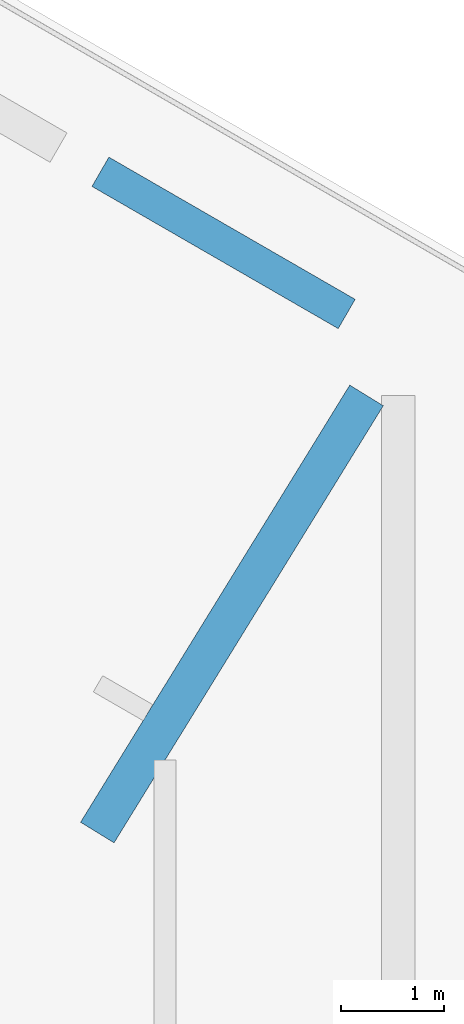
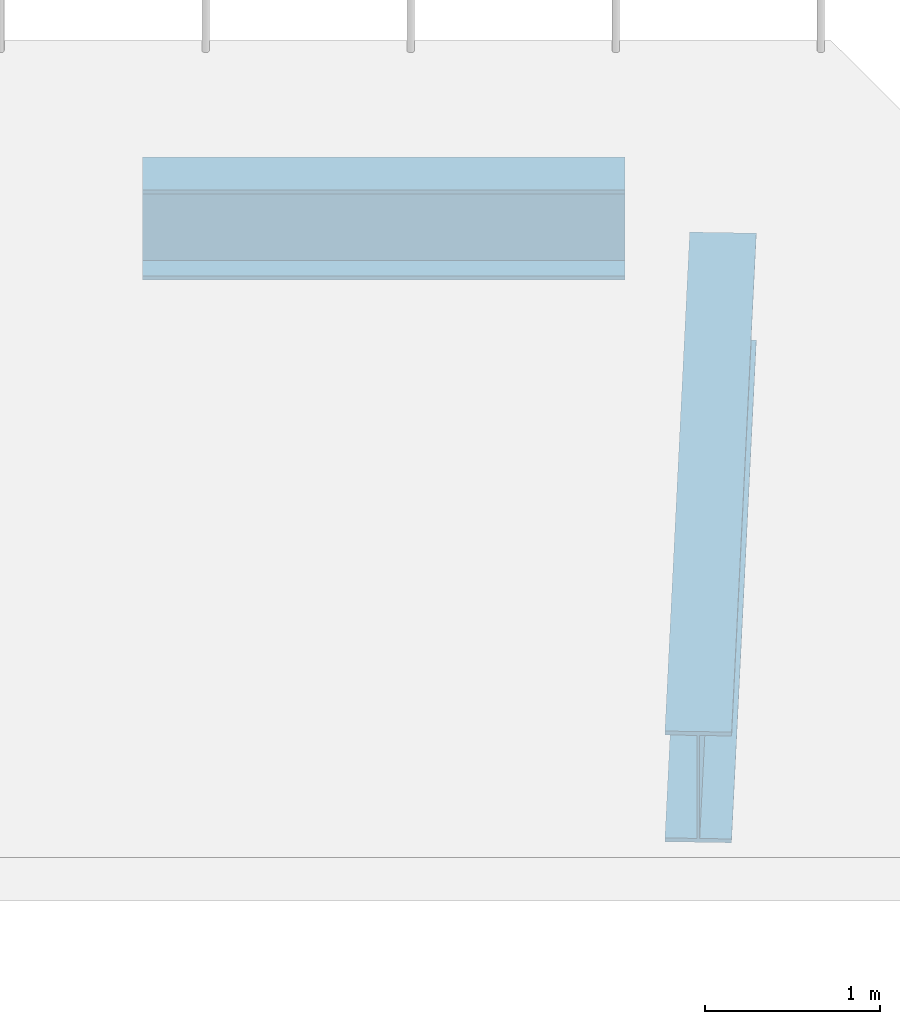
# One storey, part 16 of 38: 2 beams.
"""IFC4 building model written with IfcOpenShell, lengths in metres."""

from ifc_helpers import new_model, si_unit, direction, frame, origin, origin_2d, place, context, subcontext, project, spatial, i_section, extrude, source, transform, mapped, material, material_profile, profile_set, type_object, element, save


model = new_model("IFC4")

# Units and contexts
model_context = context("Model", 3, precision=1e-05, world=origin(), true_north=direction((0.0, 1.0)))
body_context = subcontext(model_context, "Body", "Model", "MODEL_VIEW")
ifc_project = project(units=[si_unit("LENGTHUNIT", "METRE"), si_unit("AREAUNIT", "SQUARE_METRE"), si_unit("VOLUMEUNIT", "CUBIC_METRE"), si_unit("PLANEANGLEUNIT", "RADIAN"), si_unit("MASSUNIT", "GRAM", prefix="KILO")], contexts=[model_context])

# Site, building, storey
site_placement = place(None, origin())
site = spatial("IfcSite", under=ifc_project, at=site_placement, CompositionType="ELEMENT")
building_placement = place(site_placement, origin())
building = spatial("IfcBuilding", under=site, at=building_placement, Name="Triune Harvest Tower", CompositionType="ELEMENT")
storey_placement = place(building_placement, frame((0.0, 0.0, 16.0)))
storey = spatial("IfcBuildingStorey", under=building, at=storey_placement, Name="L03", CompositionType="ELEMENT", Elevation=16.0)

# Beams
ifc_material_1 = material(Name="Steel ASTM A992 Gr 50", Category="steel")
ifc_material_profile_1 = material_profile(ifc_material_1, i_section(OverallWidth=0.32763671875, OverallDepth=0.62744140625, WebThickness=0.0166015625, FlangeThickness=0.027587890625, at=origin_2d()), Name="W24x146")
ifc_profile_set_1 = profile_set([ifc_material_profile_1], Name="Steel ASTM A992 Gr 50")
beam_type_1 = type_object("IfcBeamType", Name="PD-4 Podium edge beam W24x146", PredefinedType="BEAM", material=ifc_profile_set_1)
shared_shape_1 = source(origin(), body_context, "Body", "SweptSolid", [
    extrude(i_section(OverallWidth=0.32763671875, OverallDepth=0.62744140625, WebThickness=0.0166015625, FlangeThickness=0.027587890625, at=origin_2d()), origin(), (0.0, 0.0, 1.0), 2.75390625),
])
beam_1_placement = place(storey_placement, frame((30.215087890625, 41.688720703125, -0.513671875), z_axis=(-0.866030577522, 0.499991038717, 0.0), x_axis=(-0.499991038717, -0.866030577522, 0.0)))
element("IfcBeam", 1, at=beam_1_placement, inside=storey, type_object=beam_type_1, Name="beam/L03/PE11", PredefinedType="BEAM", context=body_context, shape_type="MappedRepresentation", body=[
    mapped(shared_shape_1, transform((0.0, 0.0, 0.0), scale=1.0)),
])
ifc_material_2 = material(Name="Steel ASTM A992 Gr 50", Category="steel")
ifc_material_profile_2 = material_profile(ifc_material_2, i_section(OverallWidth=0.381103515625, OverallDepth=0.772216796875, WebThickness=0.0166015625, FlangeThickness=0.027099609375, at=origin_2d()), Name="W30x173")
ifc_profile_set_2 = profile_set([ifc_material_profile_2], Name="Steel ASTM A992 Gr 50")
beam_type_2 = type_object("IfcBeamType", Name="PD-3 Podium girder W30x173", PredefinedType="BEAM", material=ifc_profile_set_2)
shared_shape_2 = source(origin(), body_context, "Body", "SweptSolid", [
    extrude(i_section(OverallWidth=0.381103515625, OverallDepth=0.772216796875, WebThickness=0.0166015625, FlangeThickness=0.027099609375, at=origin_2d()), origin(), (0.0, 0.0, 1.0), 4.97119140625),
])
beam_2_placement = place(storey_placement, frame((30.406982421875, 40.89990234375, -0.586181640625), z_axis=(-0.524420727845, -0.851459276892, 0.0), x_axis=(0.851459276892, -0.524420727845, 0.0)))
element("IfcBeam", 2, at=beam_2_placement, inside=storey, type_object=beam_type_2, Name="beam/L03/PR12", PredefinedType="BEAM", context=body_context, shape_type="MappedRepresentation", body=[
    mapped(shared_shape_2, transform((0.0, 0.0, 0.0), scale=1.0)),
])

save(model, "model.ifc")
